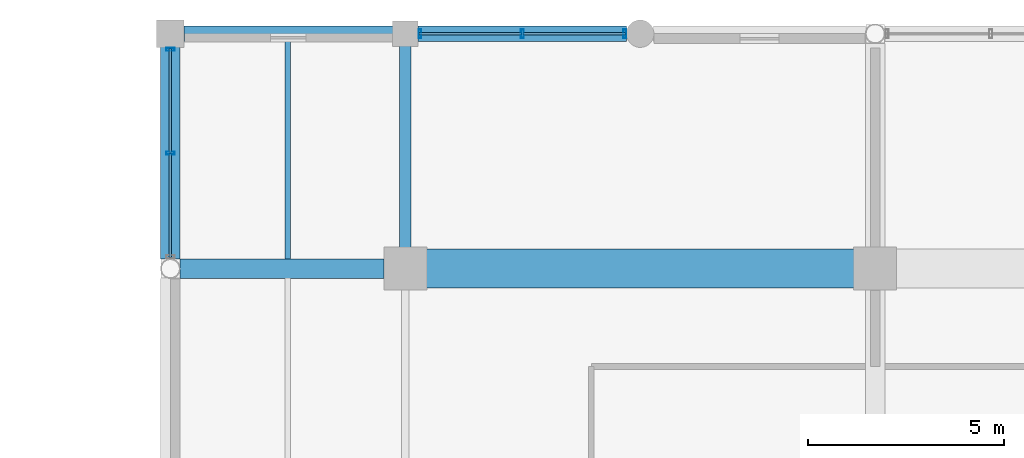
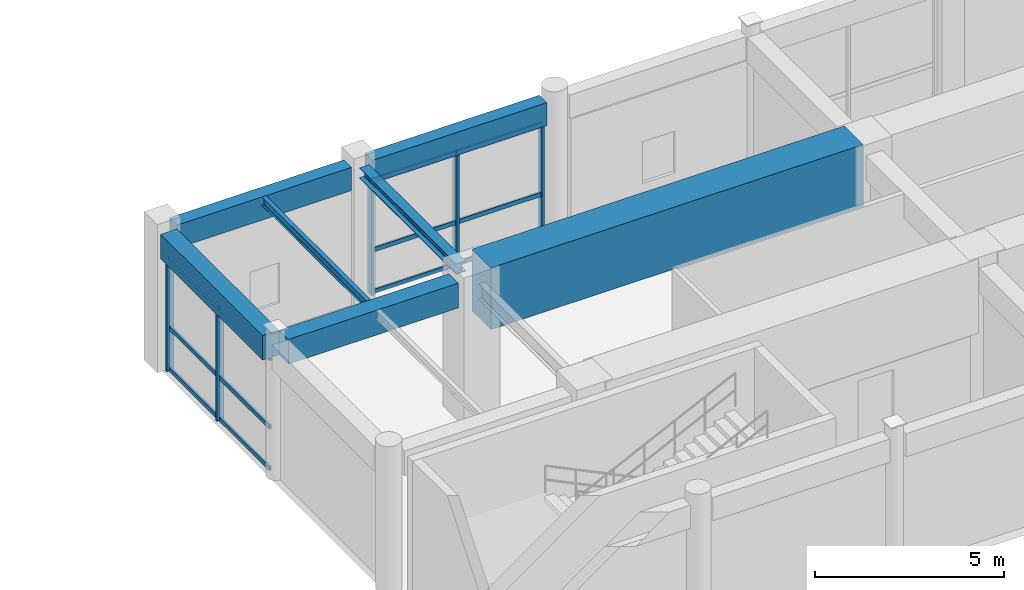
# One storey, part 55 of 123: 17 members, 7 beams, 2 elements without a shape of their own.
"""IFC4 building model written with IfcOpenShell, lengths in metres."""

import ifcopenshell
import ifcopenshell.guid

model = None  # the IFC model being written
_history = None  # IfcOwnerHistory: only IFC2X3 demands one
_inside = {}  # id of a spatial element -> (the spatial element, [elements in it])
_under = {}  # id of a project, library or spatial element -> (it, [spatial elements below it])
_declared = {}  # id of a project -> (the project, [libraries it declares])
_typed = {}  # id of a type object -> (the type object, [elements of that type])
_made_of = {}  # id of a material, layer set ... -> (it, [elements and type objects made of it])


def new_model(schema):
    """Start an empty IFC model of exactly this schema.

    Asked for "IFC4X3", IfcOpenShell would pick the latest addendum, in which some entities
    have other attributes; the version numbers below select the first issue.
    IFC2X3 requires an IfcOwnerHistory on every rooted entity: one is made here for all.
    """
    global model, _history
    if schema == "IFC4X3":
        model = ifcopenshell.file(schema_version=(4, 3, 0, 0))
    else:
        model = ifcopenshell.file(schema=schema)
    _inside.clear()
    _under.clear()
    _declared.clear()
    _typed.clear()
    _made_of.clear()
    _history = None
    if model.schema == "IFC2X3":
        org = make("IfcOrganization", Name="unknown")
        user = make(
            "IfcPersonAndOrganization",
            ThePerson=make("IfcPerson", FamilyName="unknown"),
            TheOrganization=org,
        )
        app = make(
            "IfcApplication",
            ApplicationDeveloper=org,
            Version="unknown",
            ApplicationFullName="unknown",
            ApplicationIdentifier="unknown",
        )
        _history = make(
            "IfcOwnerHistory",
            OwningUser=user,
            OwningApplication=app,
            ChangeAction="ADDED",
            CreationDate=0,
        )
    return model


def make(cls, **values):
    """One entity of the class cls with the attributes given. An attribute that is None is left unset."""
    return model.create_entity(
        cls, **{name: value for name, value in values.items() if value is not None}
    )


def rooted(cls, **values):
    """An entity with a GlobalId (a new one), such as an element, a storey or a relation."""
    return make(cls, GlobalId=ifcopenshell.guid.new(), OwnerHistory=_history, **values)


def si_unit(unit_type, name, prefix=None):
    """IfcSIUnit, for example si_unit("LENGTHUNIT", "METRE", prefix="MILLI")."""
    return make("IfcSIUnit", UnitType=unit_type, Prefix=prefix, Name=name)


def assignment(units):
    """IfcUnitAssignment: the units of a project."""
    return None if units is None else make("IfcUnitAssignment", Units=units)


def point(xyz):
    """IfcCartesianPoint."""
    return None if xyz is None else make("IfcCartesianPoint", Coordinates=xyz)


def direction(xyz):
    """IfcDirection."""
    return None if xyz is None else make("IfcDirection", DirectionRatios=xyz)


def frame(location, z_axis=None, x_axis=None):
    """IfcAxis2Placement3D, a coordinate frame: its origin and axes. An axis left out is left unset."""
    return make(
        "IfcAxis2Placement3D",
        Location=point(location),
        Axis=direction(z_axis),
        RefDirection=direction(x_axis),
    )


def frame_2d(location, x_axis=None):
    """IfcAxis2Placement2D, a coordinate frame in the plane: its origin and x axis."""
    return make(
        "IfcAxis2Placement2D", Location=point(location), RefDirection=direction(x_axis)
    )


def origin():
    """The frame at (0, 0, 0) with its axes left unset."""
    return frame((0.0, 0.0, 0.0))


def origin_2d():
    """The frame at (0, 0) in the plane with its x axis left unset."""
    return frame_2d((0.0, 0.0))


def place(relative_to, where):
    """IfcLocalPlacement: puts the frame where relative to a parent placement (None: the world)."""
    return make(
        "IfcLocalPlacement", PlacementRelTo=relative_to, RelativePlacement=where
    )


def context(
    kind, dimensions, precision=None, world=None, true_north=None, identifier=None
):
    """IfcGeometricRepresentationContext, for example the 3D "Model" context."""
    return make(
        "IfcGeometricRepresentationContext",
        ContextIdentifier=identifier,
        ContextType=kind,
        CoordinateSpaceDimension=dimensions,
        Precision=precision,
        WorldCoordinateSystem=world,
        TrueNorth=true_north,
    )


def subcontext(parent, identifier, kind, view, scale=None):
    """IfcGeometricRepresentationSubContext, for example "Body" below "Model"."""
    return make(
        "IfcGeometricRepresentationSubContext",
        ContextIdentifier=identifier,
        ContextType=kind,
        ParentContext=parent,
        TargetScale=scale,
        TargetView=view,
    )


def project(units=None, contexts=None):
    """IfcProject with its units and contexts."""
    return rooted(
        "IfcProject",
        Name="project",
        RepresentationContexts=contexts,
        UnitsInContext=assignment(units),
    )


def spatial(cls, under=None, at=None, **own):
    """A site, building, storey or space (cls), placed at a placement, below another one or the project."""
    s = rooted(cls, ObjectPlacement=at, **own)
    if under is not None:
        _under.setdefault(under.id(), (under, []))[1].append(s)
    return s


def profile(cls, at=None, kind="AREA", **sizes):
    """A parametric profile (cls). Its sizes go by their IFC names, for example OverallWidth=200.0."""
    return make(cls, ProfileType=kind, Position=at, **sizes)


def rectangle(**sizes):
    """IfcRectangleProfileDef."""
    return profile("IfcRectangleProfileDef", **sizes)


def hollow_rectangle(**sizes):
    """IfcRectangleHollowProfileDef."""
    return profile("IfcRectangleHollowProfileDef", **sizes)


def i_section(**sizes):
    """IfcIShapeProfileDef."""
    return profile("IfcIShapeProfileDef", **sizes)


def extrude(swept, where, along, depth):
    """IfcExtrudedAreaSolid: the profile swept, set in the frame where, extruded along a direction by depth."""
    return make(
        "IfcExtrudedAreaSolid",
        SweptArea=swept,
        Position=where,
        ExtrudedDirection=direction(along),
        Depth=depth,
    )


def shape(context_of_items, identifier, shape_type, items):
    """IfcShapeRepresentation: the items that make up one representation, for example the "Body"."""
    return make(
        "IfcShapeRepresentation",
        ContextOfItems=context_of_items,
        RepresentationIdentifier=identifier,
        RepresentationType=shape_type,
        Items=items,
    )


def material(Name=None, Category=None):
    """IfcMaterial."""
    return make("IfcMaterial", Name=Name, Category=Category)


def material_profile(
    of_material, cross_section, Name=None, Category=None, Priority=None
):
    """IfcMaterialProfile: a cross section and its material."""
    return make(
        "IfcMaterialProfile",
        Name=Name,
        Material=of_material,
        Profile=cross_section,
        Priority=Priority,
        Category=Category,
    )


def profile_set(profiles, Name=None, composite=None):
    """IfcMaterialProfileSet."""
    return make(
        "IfcMaterialProfileSet",
        Name=Name,
        MaterialProfiles=profiles,
        CompositeProfile=composite,
    )


def made_of(thing, what):
    """Note that an element or type object is made of a material, layer set ...; save() writes the relation."""
    if what is not None:
        _made_of.setdefault(what.id(), (what, []))[1].append(thing)
    return thing


def type_object(cls, material=None, **own):
    """A type object (cls), such as IfcWallType, which elements share."""
    return made_of(rooted(cls, **own), material)


def element(
    cls,
    number,
    at=None,
    inside=None,
    cuts=None,
    type_object=None,
    material=None,
    context=None,
    identifier="Body",
    shape_type=None,
    held_by="IfcProductDefinitionShape",
    body=None,
    shapes=None,
    **own,
):
    """One element of the class cls, such as IfcWall. Its Tag is "e" and its number.

    at: its placement. inside: the storey or other place that contains it. cuts: it is an
    opening in that element (IfcRelVoidsElement). A single representation is given by context,
    identifier, shape_type and body (its items); several are given by shapes. held_by: the class
    of the entity that holds the representations. save() writes the other relations.
    """
    e = rooted(cls, Tag="e%d" % number, ObjectPlacement=at, **own)
    if body is not None:
        shapes = [shape(context, identifier, shape_type, body)]
    if shapes is not None:
        e.Representation = make(held_by, Representations=shapes)
    if inside is not None:
        _inside.setdefault(inside.id(), (inside, []))[1].append(e)
    if cuts is not None:
        rooted(
            "IfcRelVoidsElement", RelatingBuildingElement=cuts, RelatedOpeningElement=e
        )
    if type_object is not None:
        _typed.setdefault(type_object.id(), (type_object, []))[1].append(e)
    return made_of(e, material)


def aggregate(whole, parts):
    """IfcRelAggregates: a whole, such as a stair, and the parts it consists of."""
    return rooted("IfcRelAggregates", RelatingObject=whole, RelatedObjects=parts)


def save(model, path):
    """Write the relations noted so far, then the file.

    IfcRelAggregates (storeys below a building ...), IfcRelContainedInSpatialStructure (elements
    in a storey), IfcRelDefinesByType, IfcRelAssociatesMaterial and IfcRelDeclares: one each for
    every whole, place, type object, material and project.
    """
    for whole, parts in _under.values():
        aggregate(whole, parts)
    for where, things in _inside.values():
        rooted(
            "IfcRelContainedInSpatialStructure",
            RelatedElements=things,
            RelatingStructure=where,
        )
    for kind, things in _typed.values():
        rooted("IfcRelDefinesByType", RelatedObjects=things, RelatingType=kind)
    for what, things in _made_of.values():
        rooted("IfcRelAssociatesMaterial", RelatedObjects=things, RelatingMaterial=what)
    for by, libraries in _declared.values():
        rooted("IfcRelDeclares", RelatingContext=by, RelatedDefinitions=libraries)
    model.write(path)


model = new_model("IFC4")

# Units and contexts
model_context = context("Model", 3, precision=1e-05, world=origin(), true_north=direction((0.0, 1.0)))
body_context = subcontext(model_context, "Body", "Model", "MODEL_VIEW")
ifc_project = project(units=[si_unit("LENGTHUNIT", "METRE"), si_unit("AREAUNIT", "SQUARE_METRE"), si_unit("VOLUMEUNIT", "CUBIC_METRE"), si_unit("PLANEANGLEUNIT", "RADIAN"), si_unit("MASSUNIT", "GRAM", prefix="KILO"), si_unit("THERMODYNAMICTEMPERATUREUNIT", "KELVIN"), si_unit("POWERUNIT", "WATT")], contexts=[model_context])

# Site, building, storey
site_placement = place(None, origin())
site = spatial("IfcSite", under=ifc_project, at=site_placement, CompositionType="ELEMENT")
building_placement = place(site_placement, origin())
building = spatial("IfcBuilding", under=site, at=building_placement, Name="Phaisarnlok Congress Hotel", CompositionType="ELEMENT")
storey_placement = place(building_placement, frame((0.0, 0.0, 15.0)))
storey = spatial("IfcBuildingStorey", under=building, at=storey_placement, Name="L03", CompositionType="ELEMENT", Elevation=15.0)

# Beams
ifc_material_1 = material(Name="Concrete C40/50", Category="concrete")
ifc_material_profile_1 = material_profile(ifc_material_1, rectangle(XDim=0.5, YDim=0.800048828125, at=origin_2d()), Name="RC 500x800")
ifc_profile_set_1 = profile_set([ifc_material_profile_1], Name="Concrete C40/50")
beam_type_1 = type_object("IfcBeamType", Name="BM-RC-500x800", PredefinedType="BEAM", material=ifc_profile_set_1)
beam_1_placement = place(storey_placement, frame((66.2490234375, 120.0, 4.050048828125), z_axis=(1.0, 0.0, 0.0), x_axis=(0.0, 1.0, 0.0)))
element("IfcBeam", 1, at=beam_1_placement, inside=storey, type_object=beam_type_1, Name="Beam B-04", PredefinedType="BEAM", context=body_context, shape_type="SweptSolid", body=[
    extrude(rectangle(XDim=0.5, YDim=0.800048828125, at=origin_2d()), origin(), (0.0, 0.0, 1.0), 5.2060546875),
])
ifc_material_2 = material(Name="Steel S355", Category="steel")
ifc_material_profile_2 = material_profile(ifc_material_2, i_section(OverallWidth=0.300048828125, OverallDepth=0.340087890625, WebThickness=0.011962890625, FlangeThickness=0.021484375, FilletRadius=0.027099609375, at=origin_2d()), Name="HEB 340")
ifc_profile_set_2 = profile_set([ifc_material_profile_2], Name="Steel S355")
beam_type_2 = type_object("IfcBeamType", Name="BM-STL-HEB340", PredefinedType="BEAM", material=ifc_profile_set_2)
beam_2_placement = place(storey_placement, frame((72.0, 120.544921875, 4.280029296875), z_axis=(0.0, 1.0, 0.0), x_axis=(-1.0, 0.0, 0.0)))
element("IfcBeam", 2, at=beam_2_placement, inside=storey, type_object=beam_type_2, Name="Beam SB-07", PredefinedType="BEAM", context=body_context, shape_type="SweptSolid", body=[
    extrude(i_section(OverallWidth=0.300048828125, OverallDepth=0.340087890625, WebThickness=0.011962890625, FlangeThickness=0.021484375, FilletRadius=0.027099609375, at=origin_2d()), origin(), (0.0, 0.0, 1.0), 5.135009765625),
])

# Curtain wall, members
ifc_material_3 = material(Name="Thermally Broken Unitised Aluminium & Low-E Glazing", Category="aluminium")
curtain_wall_type_1 = type_object("IfcCurtainWallType", Name="CW-UNIT-30", PredefinedType="NOTDEFINED", material=ifc_material_3)
curtain_wall_1_placement = place(storey_placement, origin())
curtain_wall_1 = element("IfcCurtainWall", 3, at=curtain_wall_1_placement, inside=storey, type_object=curtain_wall_type_1, Name="Unitised curtain wall CW-30 (L03)", PredefinedType="NOTDEFINED")
ifc_material_4 = material(Name="Anodised Aluminium Alloy 6063-T6", Category="aluminium")
ifc_material_profile_3 = material_profile(ifc_material_4, hollow_rectangle(XDim=0.074951171875, YDim=0.219970703125, WallThickness=0.0048828125, at=origin_2d()), Name="ALU-M 75x220x5")
ifc_profile_set_3 = profile_set([ifc_material_profile_3], Name="Anodised Aluminium Alloy 6063-T6")
member_type_1 = type_object("IfcMemberType", Name="CWM-220", PredefinedType="MULLION", material=ifc_profile_set_3)
member_1_placement = place(storey_placement, frame((77.60009765625, 126.0, 0.0), z_axis=(0.0, 0.0, 1.0), x_axis=(-1.0, 0.0, 0.0)))
member_1 = element("IfcMember", 4, at=member_1_placement, type_object=member_type_1, Name="Curtain wall mullion CWM-02", PredefinedType="MULLION", context=body_context, shape_type="SweptSolid", body=[
    extrude(hollow_rectangle(XDim=0.074951171875, YDim=0.219970703125, WallThickness=0.0048828125, at=origin_2d()), origin(), (0.0, 0.0, 1.0), 3.699951171875),
])
member_2_placement = place(storey_placement, frame((74.987548828125, 126.0, 0.0), z_axis=(0.0, 0.0, 1.0), x_axis=(-1.0, 0.0, 0.0)))
member_2 = element("IfcMember", 5, at=member_2_placement, type_object=member_type_1, Name="Curtain wall mullion CWM-02", PredefinedType="MULLION", context=body_context, shape_type="SweptSolid", body=[
    extrude(hollow_rectangle(XDim=0.074951171875, YDim=0.219970703125, WallThickness=0.0048828125, at=origin_2d()), origin(), (0.0, 0.0, 1.0), 3.699951171875),
])
member_3_placement = place(storey_placement, frame((72.375, 126.0, 0.0), z_axis=(0.0, 0.0, 1.0), x_axis=(-1.0, 0.0, 0.0)))
member_3 = element("IfcMember", 6, at=member_3_placement, type_object=member_type_1, Name="Curtain wall mullion CWM-02", PredefinedType="MULLION", context=body_context, shape_type="SweptSolid", body=[
    extrude(hollow_rectangle(XDim=0.074951171875, YDim=0.219970703125, WallThickness=0.0048828125, at=origin_2d()), origin(), (0.0, 0.0, 1.0), 3.699951171875),
])

curtain_wall_type_2 = type_object("IfcCurtainWallType", Name="CW-UNIT-32", PredefinedType="NOTDEFINED", material=ifc_material_3)
curtain_wall_2_placement = place(storey_placement, origin())
curtain_wall_2 = element("IfcCurtainWall", 7, at=curtain_wall_2_placement, inside=storey, type_object=curtain_wall_type_2, Name="Unitised curtain wall CW-32 (L03)", PredefinedType="NOTDEFINED")
member_4_placement = place(storey_placement, frame((66.0, 125.60009765625, 0.0), z_axis=(0.0, 0.0, 1.0), x_axis=(0.0, -1.0, 0.0)))
member_4 = element("IfcMember", 8, at=member_4_placement, type_object=member_type_1, Name="Curtain wall mullion CWM-02", PredefinedType="MULLION", context=body_context, shape_type="SweptSolid", body=[
    extrude(hollow_rectangle(XDim=0.074951171875, YDim=0.219970703125, WallThickness=0.0048828125, at=origin_2d()), origin(), (0.0, 0.0, 1.0), 3.64990234375),
])
member_5_placement = place(storey_placement, frame((66.0, 122.951904296875, 0.0), z_axis=(0.0, 0.0, 1.0), x_axis=(0.0, -1.0, 0.0)))
member_5 = element("IfcMember", 9, at=member_5_placement, type_object=member_type_1, Name="Curtain wall mullion CWM-02", PredefinedType="MULLION", context=body_context, shape_type="SweptSolid", body=[
    extrude(hollow_rectangle(XDim=0.074951171875, YDim=0.219970703125, WallThickness=0.0048828125, at=origin_2d()), origin(), (0.0, 0.0, 1.0), 3.64990234375),
])

# Member
ifc_material_profile_4 = material_profile(ifc_material_4, hollow_rectangle(XDim=0.06494140625, YDim=0.139892578125, WallThickness=0.00390625, at=origin_2d()), Name="ALU-T 65x140x4")
ifc_profile_set_4 = profile_set([ifc_material_profile_4], Name="Anodised Aluminium Alloy 6063-T6")
member_type_2 = type_object("IfcMemberType", Name="CWT-150", PredefinedType="USERDEFINED", material=ifc_profile_set_4)
member_6_placement = place(storey_placement, frame((77.625, 126.0, 0.050048828125), z_axis=(-1.0, 0.0, 0.0), x_axis=(0.0, -1.0, 0.0)))
member_6 = element("IfcMember", 10, at=member_6_placement, type_object=member_type_2, Name="Curtain wall transom CWT-01", ObjectType="TRANSOM", PredefinedType="USERDEFINED", context=body_context, shape_type="SweptSolid", body=[
    extrude(hollow_rectangle(XDim=0.06494140625, YDim=0.139892578125, WallThickness=0.00390625, at=origin_2d()), origin(), (0.0, 0.0, 1.0), 2.62255859375),
])

member_7_placement = place(storey_placement, frame((77.625, 126.0, 1.406005859375), z_axis=(-1.0, 0.0, 0.0), x_axis=(0.0, -1.0, 0.0)))
member_7 = element("IfcMember", 11, at=member_7_placement, type_object=member_type_2, Name="Curtain wall transom CWT-01", ObjectType="TRANSOM", PredefinedType="USERDEFINED", context=body_context, shape_type="SweptSolid", body=[
    extrude(hollow_rectangle(XDim=0.06494140625, YDim=0.139892578125, WallThickness=0.00390625, at=origin_2d()), origin(), (0.0, 0.0, 1.0), 2.62255859375),
])

member_8_placement = place(storey_placement, frame((77.625, 126.0, 3.64990234375), z_axis=(-1.0, 0.0, 0.0), x_axis=(0.0, -1.0, 0.0)))
member_8 = element("IfcMember", 12, at=member_8_placement, type_object=member_type_2, Name="Curtain wall transom CWT-01", ObjectType="TRANSOM", PredefinedType="USERDEFINED", context=body_context, shape_type="SweptSolid", body=[
    extrude(hollow_rectangle(XDim=0.06494140625, YDim=0.139892578125, WallThickness=0.00390625, at=origin_2d()), origin(), (0.0, 0.0, 1.0), 2.62255859375),
])

member_9_placement = place(storey_placement, frame((74.972412109375, 126.0, 0.050048828125), z_axis=(-1.0, 0.0, 0.0), x_axis=(0.0, -1.0, 0.0)))
member_9 = element("IfcMember", 13, at=member_9_placement, type_object=member_type_2, Name="Curtain wall transom CWT-01", ObjectType="TRANSOM", PredefinedType="USERDEFINED", context=body_context, shape_type="SweptSolid", body=[
    extrude(hollow_rectangle(XDim=0.06494140625, YDim=0.139892578125, WallThickness=0.00390625, at=origin_2d()), origin(), (0.0, 0.0, 1.0), 2.622314453125),
])

member_10_placement = place(storey_placement, frame((74.972412109375, 126.0, 1.406005859375), z_axis=(-1.0, 0.0, 0.0), x_axis=(0.0, -1.0, 0.0)))
member_10 = element("IfcMember", 14, at=member_10_placement, type_object=member_type_2, Name="Curtain wall transom CWT-01", ObjectType="TRANSOM", PredefinedType="USERDEFINED", context=body_context, shape_type="SweptSolid", body=[
    extrude(hollow_rectangle(XDim=0.06494140625, YDim=0.139892578125, WallThickness=0.00390625, at=origin_2d()), origin(), (0.0, 0.0, 1.0), 2.622314453125),
])

member_11_placement = place(storey_placement, frame((74.972412109375, 126.0, 3.64990234375), z_axis=(-1.0, 0.0, 0.0), x_axis=(0.0, -1.0, 0.0)))
member_11 = element("IfcMember", 15, at=member_11_placement, type_object=member_type_2, Name="Curtain wall transom CWT-01", ObjectType="TRANSOM", PredefinedType="USERDEFINED", context=body_context, shape_type="SweptSolid", body=[
    extrude(hollow_rectangle(XDim=0.06494140625, YDim=0.139892578125, WallThickness=0.00390625, at=origin_2d()), origin(), (0.0, 0.0, 1.0), 2.622314453125),
])

aggregate(curtain_wall_1, [member_1, member_2, member_3, member_6, member_7, member_8, member_9, member_10, member_11])

member_12_placement = place(storey_placement, frame((66.0, 125.625, 0.050048828125), z_axis=(0.0, -1.0, 0.0), x_axis=(1.0, 0.0, 0.0)))
member_12 = element("IfcMember", 16, at=member_12_placement, type_object=member_type_2, Name="Curtain wall transom CWT-01", ObjectType="TRANSOM", PredefinedType="USERDEFINED", context=body_context, shape_type="SweptSolid", body=[
    extrude(hollow_rectangle(XDim=0.06494140625, YDim=0.139892578125, WallThickness=0.00390625, at=origin_2d()), origin(), (0.0, 0.0, 1.0), 2.657958984375),
])

member_13_placement = place(storey_placement, frame((66.0, 125.625, 1.386962890625), z_axis=(0.0, -1.0, 0.0), x_axis=(1.0, 0.0, 0.0)))
member_13 = element("IfcMember", 17, at=member_13_placement, type_object=member_type_2, Name="Curtain wall transom CWT-01", ObjectType="TRANSOM", PredefinedType="USERDEFINED", context=body_context, shape_type="SweptSolid", body=[
    extrude(hollow_rectangle(XDim=0.06494140625, YDim=0.139892578125, WallThickness=0.00390625, at=origin_2d()), origin(), (0.0, 0.0, 1.0), 2.657958984375),
])

member_14_placement = place(storey_placement, frame((66.0, 125.625, 3.60009765625), z_axis=(0.0, -1.0, 0.0), x_axis=(1.0, 0.0, 0.0)))
member_14 = element("IfcMember", 18, at=member_14_placement, type_object=member_type_2, Name="Curtain wall transom CWT-01", ObjectType="TRANSOM", PredefinedType="USERDEFINED", context=body_context, shape_type="SweptSolid", body=[
    extrude(hollow_rectangle(XDim=0.06494140625, YDim=0.139892578125, WallThickness=0.00390625, at=origin_2d()), origin(), (0.0, 0.0, 1.0), 2.657958984375),
])

member_15_placement = place(storey_placement, frame((66.0, 122.93701171875, 0.050048828125), z_axis=(0.0, -1.0, 0.0), x_axis=(1.0, 0.0, 0.0)))
member_15 = element("IfcMember", 19, at=member_15_placement, type_object=member_type_2, Name="Curtain wall transom CWT-01", ObjectType="TRANSOM", PredefinedType="USERDEFINED", context=body_context, shape_type="SweptSolid", body=[
    extrude(hollow_rectangle(XDim=0.06494140625, YDim=0.139892578125, WallThickness=0.00390625, at=origin_2d()), origin(), (0.0, 0.0, 1.0), 2.657958984375),
])

member_16_placement = place(storey_placement, frame((66.0, 122.93701171875, 1.386962890625), z_axis=(0.0, -1.0, 0.0), x_axis=(1.0, 0.0, 0.0)))
member_16 = element("IfcMember", 20, at=member_16_placement, type_object=member_type_2, Name="Curtain wall transom CWT-01", ObjectType="TRANSOM", PredefinedType="USERDEFINED", context=body_context, shape_type="SweptSolid", body=[
    extrude(hollow_rectangle(XDim=0.06494140625, YDim=0.139892578125, WallThickness=0.00390625, at=origin_2d()), origin(), (0.0, 0.0, 1.0), 2.657958984375),
])

member_17_placement = place(storey_placement, frame((66.0, 122.93701171875, 3.60009765625), z_axis=(0.0, -1.0, 0.0), x_axis=(1.0, 0.0, 0.0)))
member_17 = element("IfcMember", 21, at=member_17_placement, type_object=member_type_2, Name="Curtain wall transom CWT-01", ObjectType="TRANSOM", PredefinedType="USERDEFINED", context=body_context, shape_type="SweptSolid", body=[
    extrude(hollow_rectangle(XDim=0.06494140625, YDim=0.139892578125, WallThickness=0.00390625, at=origin_2d()), origin(), (0.0, 0.0, 1.0), 2.657958984375),
])

aggregate(curtain_wall_2, [member_4, member_5, member_12, member_13, member_14, member_15, member_16, member_17])

# Beams
ifc_material_profile_5 = material_profile(ifc_material_2, i_section(OverallWidth=0.135009765625, OverallDepth=0.27001953125, WebThickness=0.006591796875, FlangeThickness=0.01025390625, FilletRadius=0.014892578125, at=origin_2d()), Name="IPE 270")
ifc_profile_set_5 = profile_set([ifc_material_profile_5], Name="Steel S355")
beam_type_3 = type_object("IfcBeamType", Name="JS-STL-IPE270", PredefinedType="JOIST", material=ifc_profile_set_5)
beam_3_placement = place(storey_placement, frame((69.0, 120.2451171875, 4.31494140625), z_axis=(0.0, 1.0, 0.0), x_axis=(-1.0, 0.0, 0.0)))
element("IfcBeam", 22, at=beam_3_placement, inside=storey, type_object=beam_type_3, Name="Secondary floor joist J-02", PredefinedType="JOIST", context=body_context, shape_type="SweptSolid", body=[
    extrude(i_section(OverallWidth=0.135009765625, OverallDepth=0.27001953125, WebThickness=0.006591796875, FlangeThickness=0.01025390625, FilletRadius=0.014892578125, at=origin_2d()), origin(), (0.0, 0.0, 1.0), 5.559814453125),
])
ifc_material_profile_6 = material_profile(ifc_material_1, rectangle(XDim=0.39990234375, YDim=0.75, at=origin_2d()), Name="RC 400x750")
ifc_profile_set_6 = profile_set([ifc_material_profile_6], Name="Concrete C40/50")
beam_type_4 = type_object("IfcBeamType", Name="SP-RC-400x750", PredefinedType="SPANDREL", material=ifc_profile_set_6)
for number, where, z_axis, x_axis, name in (
    (23, (66.344970703125, 126.0, 4.074951171875), (1.0, 0.0, 0.0), (0.0, 1.0, 0.0), "Beam SP-02"),
    (24, (72.320068359375, 126.0, 4.074951171875), (1.0, 0.0, 0.0), (0.0, 1.0, 0.0), "Beam SP-02"),
):
    element("IfcBeam", number, at=place(storey_placement, frame(where, z_axis=z_axis, x_axis=x_axis)), inside=storey, type_object=beam_type_4, Name=name, PredefinedType="SPANDREL", context=body_context, shape_type="SweptSolid", body=[
        extrude(rectangle(XDim=0.39990234375, YDim=0.75, at=origin_2d()), origin(), (0.0, 0.0, 1.0), 5.3349609375),
    ])
ifc_material_profile_7 = material_profile(ifc_material_1, rectangle(XDim=0.5, YDim=0.800048828125, at=origin_2d()), Name="RC 500x800")
ifc_profile_set_7 = profile_set([ifc_material_profile_7], Name="Concrete C40/50")
beam_type_5 = type_object("IfcBeamType", Name="SP-RC-500x800", PredefinedType="SPANDREL", material=ifc_profile_set_7)
beam_4_placement = place(storey_placement, frame((66.0, 120.2490234375, 4.050048828125), z_axis=(0.0, 1.0, 0.0), x_axis=(-1.0, 0.0, 0.0)))
element("IfcBeam", 25, at=beam_4_placement, inside=storey, type_object=beam_type_5, Name="Beam SP-04", PredefinedType="SPANDREL", context=body_context, shape_type="SweptSolid", body=[
    extrude(rectangle(XDim=0.5, YDim=0.800048828125, at=origin_2d()), origin(), (0.0, 0.0, 1.0), 5.406005859375),
])
ifc_material_5 = material(Name="Concrete C50/60", Category="concrete")
ifc_material_profile_8 = material_profile(ifc_material_5, rectangle(XDim=1.0, YDim=2.0, at=origin_2d()), Name="RC 1000x2000")
ifc_profile_set_8 = profile_set([ifc_material_profile_8], Name="Concrete C50/60")
beam_type_6 = type_object("IfcBeamType", Name="TG-RC-1000x2000", PredefinedType="BEAM", material=ifc_profile_set_8)
beam_5_placement = place(storey_placement, frame((72.300048828125, 120.0, 3.800048828125), z_axis=(1.0, 0.0, 0.0), x_axis=(0.0, 1.0, 0.0)))
element("IfcBeam", 26, at=beam_5_placement, inside=storey, type_object=beam_type_6, Name="Transfer girder TG-01 supporting hotel wing", PredefinedType="BEAM", context=body_context, shape_type="SweptSolid", body=[
    extrude(rectangle(XDim=1.0, YDim=2.0, at=origin_2d()), origin(), (0.0, 0.0, 1.0), 11.39990234375),
])

save(model, "model.ifc")
